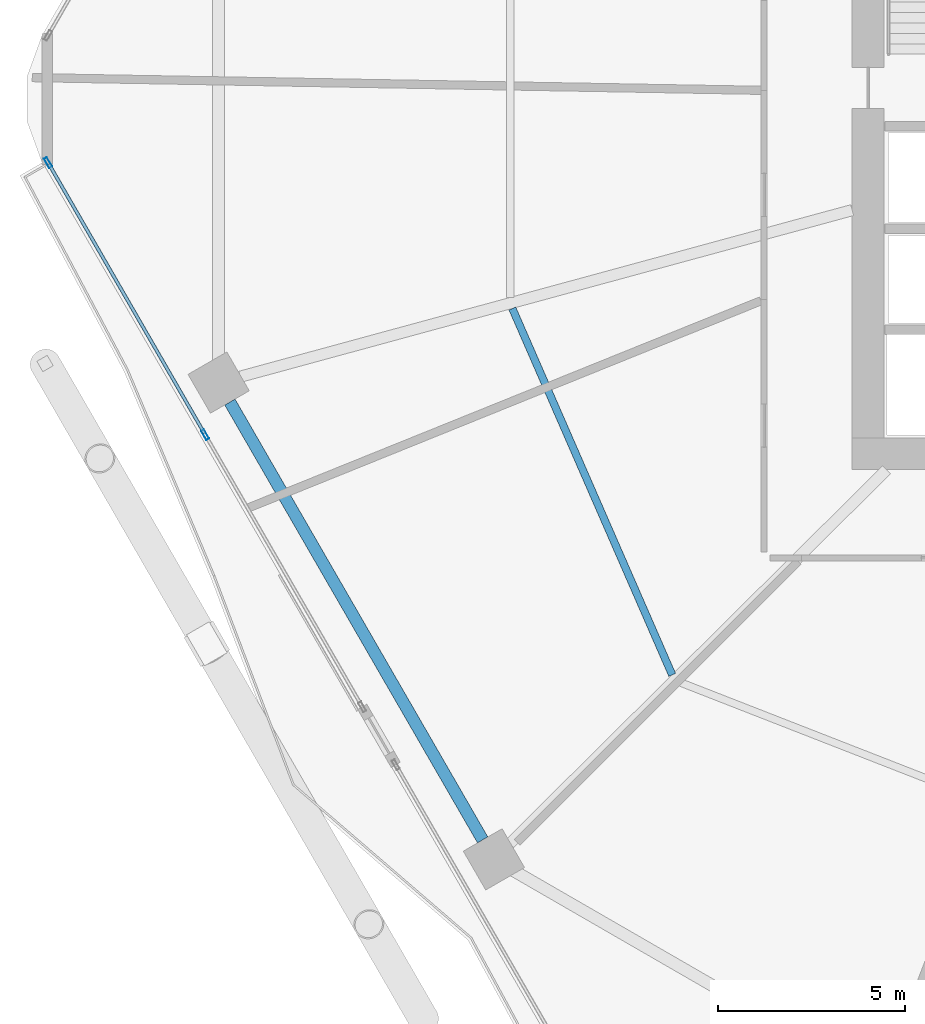
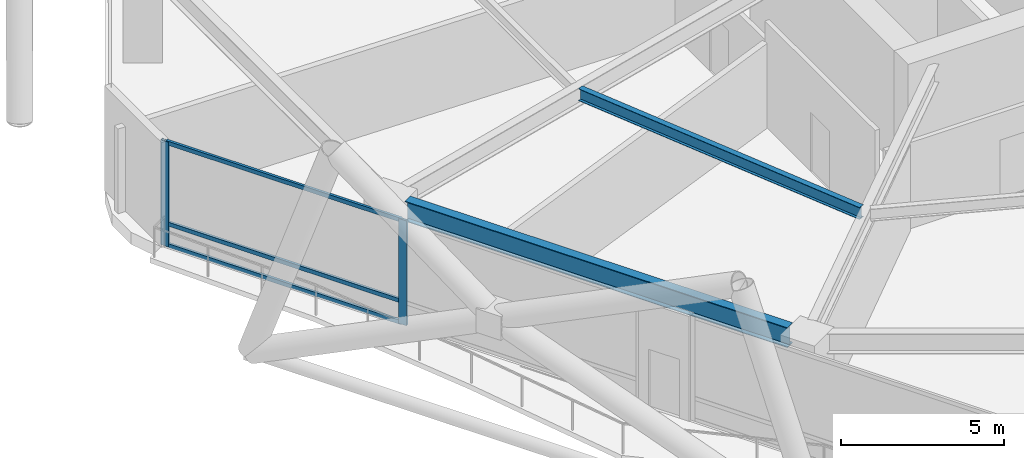
# One storey, part 5 of 31: 5 members, 2 beams, 1 element without a shape of its own.
"""IFC4 building model written with IfcOpenShell, lengths in metres."""

import ifcopenshell
import ifcopenshell.guid

model = None  # the IFC model being written
_history = None  # IfcOwnerHistory: only IFC2X3 demands one
_inside = {}  # id of a spatial element -> (the spatial element, [elements in it])
_under = {}  # id of a project, library or spatial element -> (it, [spatial elements below it])
_declared = {}  # id of a project -> (the project, [libraries it declares])
_typed = {}  # id of a type object -> (the type object, [elements of that type])
_made_of = {}  # id of a material, layer set ... -> (it, [elements and type objects made of it])


def new_model(schema):
    """Start an empty IFC model of exactly this schema.

    Asked for "IFC4X3", IfcOpenShell would pick the latest addendum, in which some entities
    have other attributes; the version numbers below select the first issue.
    IFC2X3 requires an IfcOwnerHistory on every rooted entity: one is made here for all.
    """
    global model, _history
    if schema == "IFC4X3":
        model = ifcopenshell.file(schema_version=(4, 3, 0, 0))
    else:
        model = ifcopenshell.file(schema=schema)
    _inside.clear()
    _under.clear()
    _declared.clear()
    _typed.clear()
    _made_of.clear()
    _history = None
    if model.schema == "IFC2X3":
        org = make("IfcOrganization", Name="unknown")
        user = make(
            "IfcPersonAndOrganization",
            ThePerson=make("IfcPerson", FamilyName="unknown"),
            TheOrganization=org,
        )
        app = make(
            "IfcApplication",
            ApplicationDeveloper=org,
            Version="unknown",
            ApplicationFullName="unknown",
            ApplicationIdentifier="unknown",
        )
        _history = make(
            "IfcOwnerHistory",
            OwningUser=user,
            OwningApplication=app,
            ChangeAction="ADDED",
            CreationDate=0,
        )
    return model


def make(cls, **values):
    """One entity of the class cls with the attributes given. An attribute that is None is left unset."""
    return model.create_entity(
        cls, **{name: value for name, value in values.items() if value is not None}
    )


def rooted(cls, **values):
    """An entity with a GlobalId (a new one), such as an element, a storey or a relation."""
    return make(cls, GlobalId=ifcopenshell.guid.new(), OwnerHistory=_history, **values)


def si_unit(unit_type, name, prefix=None):
    """IfcSIUnit, for example si_unit("LENGTHUNIT", "METRE", prefix="MILLI")."""
    return make("IfcSIUnit", UnitType=unit_type, Prefix=prefix, Name=name)


def assignment(units):
    """IfcUnitAssignment: the units of a project."""
    return None if units is None else make("IfcUnitAssignment", Units=units)


def point(xyz):
    """IfcCartesianPoint."""
    return None if xyz is None else make("IfcCartesianPoint", Coordinates=xyz)


def direction(xyz):
    """IfcDirection."""
    return None if xyz is None else make("IfcDirection", DirectionRatios=xyz)


def frame(location, z_axis=None, x_axis=None):
    """IfcAxis2Placement3D, a coordinate frame: its origin and axes. An axis left out is left unset."""
    return make(
        "IfcAxis2Placement3D",
        Location=point(location),
        Axis=direction(z_axis),
        RefDirection=direction(x_axis),
    )


def frame_2d(location, x_axis=None):
    """IfcAxis2Placement2D, a coordinate frame in the plane: its origin and x axis."""
    return make(
        "IfcAxis2Placement2D", Location=point(location), RefDirection=direction(x_axis)
    )


def origin():
    """The frame at (0, 0, 0) with its axes left unset."""
    return frame((0.0, 0.0, 0.0))


def origin_2d():
    """The frame at (0, 0) in the plane with its x axis left unset."""
    return frame_2d((0.0, 0.0))


def place(relative_to, where):
    """IfcLocalPlacement: puts the frame where relative to a parent placement (None: the world)."""
    return make(
        "IfcLocalPlacement", PlacementRelTo=relative_to, RelativePlacement=where
    )


def context(
    kind, dimensions, precision=None, world=None, true_north=None, identifier=None
):
    """IfcGeometricRepresentationContext, for example the 3D "Model" context."""
    return make(
        "IfcGeometricRepresentationContext",
        ContextIdentifier=identifier,
        ContextType=kind,
        CoordinateSpaceDimension=dimensions,
        Precision=precision,
        WorldCoordinateSystem=world,
        TrueNorth=true_north,
    )


def subcontext(parent, identifier, kind, view, scale=None):
    """IfcGeometricRepresentationSubContext, for example "Body" below "Model"."""
    return make(
        "IfcGeometricRepresentationSubContext",
        ContextIdentifier=identifier,
        ContextType=kind,
        ParentContext=parent,
        TargetScale=scale,
        TargetView=view,
    )


def project(units=None, contexts=None):
    """IfcProject with its units and contexts."""
    return rooted(
        "IfcProject",
        Name="project",
        RepresentationContexts=contexts,
        UnitsInContext=assignment(units),
    )


def spatial(cls, under=None, at=None, **own):
    """A site, building, storey or space (cls), placed at a placement, below another one or the project."""
    s = rooted(cls, ObjectPlacement=at, **own)
    if under is not None:
        _under.setdefault(under.id(), (under, []))[1].append(s)
    return s


def profile(cls, at=None, kind="AREA", **sizes):
    """A parametric profile (cls). Its sizes go by their IFC names, for example OverallWidth=200.0."""
    return make(cls, ProfileType=kind, Position=at, **sizes)


def hollow_rectangle(**sizes):
    """IfcRectangleHollowProfileDef."""
    return profile("IfcRectangleHollowProfileDef", **sizes)


def i_section(**sizes):
    """IfcIShapeProfileDef."""
    return profile("IfcIShapeProfileDef", **sizes)


def extrude(swept, where, along, depth):
    """IfcExtrudedAreaSolid: the profile swept, set in the frame where, extruded along a direction by depth."""
    return make(
        "IfcExtrudedAreaSolid",
        SweptArea=swept,
        Position=where,
        ExtrudedDirection=direction(along),
        Depth=depth,
    )


def shape(context_of_items, identifier, shape_type, items):
    """IfcShapeRepresentation: the items that make up one representation, for example the "Body"."""
    return make(
        "IfcShapeRepresentation",
        ContextOfItems=context_of_items,
        RepresentationIdentifier=identifier,
        RepresentationType=shape_type,
        Items=items,
    )


def material(Name=None, Category=None):
    """IfcMaterial."""
    return make("IfcMaterial", Name=Name, Category=Category)


def material_profile(
    of_material, cross_section, Name=None, Category=None, Priority=None
):
    """IfcMaterialProfile: a cross section and its material."""
    return make(
        "IfcMaterialProfile",
        Name=Name,
        Material=of_material,
        Profile=cross_section,
        Priority=Priority,
        Category=Category,
    )


def profile_set(profiles, Name=None, composite=None):
    """IfcMaterialProfileSet."""
    return make(
        "IfcMaterialProfileSet",
        Name=Name,
        MaterialProfiles=profiles,
        CompositeProfile=composite,
    )


def made_of(thing, what):
    """Note that an element or type object is made of a material, layer set ...; save() writes the relation."""
    if what is not None:
        _made_of.setdefault(what.id(), (what, []))[1].append(thing)
    return thing


def type_object(cls, material=None, **own):
    """A type object (cls), such as IfcWallType, which elements share."""
    return made_of(rooted(cls, **own), material)


def element(
    cls,
    number,
    at=None,
    inside=None,
    cuts=None,
    type_object=None,
    material=None,
    context=None,
    identifier="Body",
    shape_type=None,
    held_by="IfcProductDefinitionShape",
    body=None,
    shapes=None,
    **own,
):
    """One element of the class cls, such as IfcWall. Its Tag is "e" and its number.

    at: its placement. inside: the storey or other place that contains it. cuts: it is an
    opening in that element (IfcRelVoidsElement). A single representation is given by context,
    identifier, shape_type and body (its items); several are given by shapes. held_by: the class
    of the entity that holds the representations. save() writes the other relations.
    """
    e = rooted(cls, Tag="e%d" % number, ObjectPlacement=at, **own)
    if body is not None:
        shapes = [shape(context, identifier, shape_type, body)]
    if shapes is not None:
        e.Representation = make(held_by, Representations=shapes)
    if inside is not None:
        _inside.setdefault(inside.id(), (inside, []))[1].append(e)
    if cuts is not None:
        rooted(
            "IfcRelVoidsElement", RelatingBuildingElement=cuts, RelatedOpeningElement=e
        )
    if type_object is not None:
        _typed.setdefault(type_object.id(), (type_object, []))[1].append(e)
    return made_of(e, material)


def aggregate(whole, parts):
    """IfcRelAggregates: a whole, such as a stair, and the parts it consists of."""
    return rooted("IfcRelAggregates", RelatingObject=whole, RelatedObjects=parts)


def save(model, path):
    """Write the relations noted so far, then the file.

    IfcRelAggregates (storeys below a building ...), IfcRelContainedInSpatialStructure (elements
    in a storey), IfcRelDefinesByType, IfcRelAssociatesMaterial and IfcRelDeclares: one each for
    every whole, place, type object, material and project.
    """
    for whole, parts in _under.values():
        aggregate(whole, parts)
    for where, things in _inside.values():
        rooted(
            "IfcRelContainedInSpatialStructure",
            RelatedElements=things,
            RelatingStructure=where,
        )
    for kind, things in _typed.values():
        rooted("IfcRelDefinesByType", RelatedObjects=things, RelatingType=kind)
    for what, things in _made_of.values():
        rooted("IfcRelAssociatesMaterial", RelatedObjects=things, RelatingMaterial=what)
    for by, libraries in _declared.values():
        rooted("IfcRelDeclares", RelatingContext=by, RelatedDefinitions=libraries)
    model.write(path)


model = new_model("IFC4")

# Units and contexts
model_context = context("Model", 3, precision=1e-05, world=origin(), true_north=direction((0.0, 1.0)))
body_context = subcontext(model_context, "Body", "Model", "MODEL_VIEW")
ifc_project = project(units=[si_unit("LENGTHUNIT", "METRE"), si_unit("AREAUNIT", "SQUARE_METRE"), si_unit("VOLUMEUNIT", "CUBIC_METRE"), si_unit("PLANEANGLEUNIT", "RADIAN"), si_unit("MASSUNIT", "GRAM", prefix="KILO")], contexts=[model_context])

# Site, building, storey
site_placement = place(None, origin())
site = spatial("IfcSite", under=ifc_project, at=site_placement, CompositionType="ELEMENT")
building_placement = place(site_placement, origin())
building = spatial("IfcBuilding", under=site, at=building_placement, Name="Zuhravey Tower", CompositionType="ELEMENT")
storey_placement = place(building_placement, frame((0.0, 0.0, 7.800048828125)))
storey = spatial("IfcBuildingStorey", under=building, at=storey_placement, Name="L02", CompositionType="ELEMENT", Elevation=7.800048828125)

# Curtain wall, members
ifc_material_1 = material(Name="Thermally broken anodised aluminium", Category="aluminium")
curtain_wall_type = type_object("IfcCurtainWallType", Name="School Low-E Unitised Curtain Wall CW1", PredefinedType="NOTDEFINED", material=ifc_material_1)
curtain_wall_placement = place(storey_placement, origin())
curtain_wall = element("IfcCurtainWall", 1, at=curtain_wall_placement, inside=storey, type_object=curtain_wall_type, Name="L02 CW1 CW-L02-F4-2", PredefinedType="NOTDEFINED")
ifc_material_2 = material(Name="Anodised aluminium", Category="aluminium")
ifc_material_profile_1 = material_profile(ifc_material_2, hollow_rectangle(XDim=0.090087890625, YDim=0.284912109375, WallThickness=0.0048828125, at=origin_2d()), Name="ALU-RHS-90x285x5")
ifc_profile_set_1 = profile_set([ifc_material_profile_1], Name="Anodised aluminium")
member_type_1 = type_object("IfcMemberType", Name="Curtain-Wall Mullion 90x180", PredefinedType="MULLION", material=ifc_profile_set_1)
member_1_placement = place(storey_placement, frame((7.750244140625, 23.012939453125, 0.0), z_axis=(0.0, 0.0, 1.0), x_axis=(-0.866025508574, -0.499999818499, 0.0)))
member_1 = element("IfcMember", 2, at=member_1_placement, type_object=member_type_1, Name="CW1 mullion 2", PredefinedType="MULLION", context=body_context, shape_type="SweptSolid", body=[
    extrude(hollow_rectangle(XDim=0.090087890625, YDim=0.284912109375, WallThickness=0.0048828125, at=origin_2d()), origin(), (0.0, 0.0, 1.0), 3.919921875),
])
member_2_placement = place(storey_placement, frame((3.5439453125, 30.298583984375, 0.0), z_axis=(0.0, 0.0, 1.0), x_axis=(-0.866025508574, -0.499999818499, 0.0)))
member_2 = element("IfcMember", 3, at=member_2_placement, type_object=member_type_1, Name="CW1 mullion 3", PredefinedType="MULLION", context=body_context, shape_type="SweptSolid", body=[
    extrude(hollow_rectangle(XDim=0.090087890625, YDim=0.284912109375, WallThickness=0.0048828125, at=origin_2d()), origin(), (0.0, 0.0, 1.0), 3.919921875),
])
ifc_material_profile_2 = material_profile(ifc_material_2, hollow_rectangle(XDim=0.090087890625, YDim=0.14990234375, WallThickness=0.0048828125, at=origin_2d()), Name="ALU-RHS-90x150x5")
ifc_profile_set_2 = profile_set([ifc_material_profile_2], Name="Anodised aluminium")
member_type_2 = type_object("IfcMemberType", Name="Curtain-Wall Transom 90x150", PredefinedType="USERDEFINED", material=ifc_profile_set_2)
member_3_placement = place(storey_placement, frame((7.727783203125, 23.052001953125, 0.044921875), z_axis=(-0.500010238213, 0.866019492669, 0.0), x_axis=(-0.866019492669, -0.500010238213, 0.0)))
member_3 = element("IfcMember", 4, at=member_3_placement, type_object=member_type_2, Name="CW1 transom 2.1", ObjectType="TRANSOM", PredefinedType="USERDEFINED", context=body_context, shape_type="SweptSolid", body=[
    extrude(hollow_rectangle(XDim=0.090087890625, YDim=0.14990234375, WallThickness=0.0048828125, at=origin_2d()), origin(), (0.0, 0.0, 1.0), 8.322509765625),
])
member_4_placement = place(storey_placement, frame((7.727783203125, 23.052001953125, 0.849853515625), z_axis=(-0.500010238213, 0.866019492669, 0.0), x_axis=(-0.866019492669, -0.500010238213, 0.0)))
member_4 = element("IfcMember", 5, at=member_4_placement, type_object=member_type_2, Name="CW1 transom 2.2", ObjectType="TRANSOM", PredefinedType="USERDEFINED", context=body_context, shape_type="SweptSolid", body=[
    extrude(hollow_rectangle(XDim=0.090087890625, YDim=0.14990234375, WallThickness=0.0048828125, at=origin_2d()), origin(), (0.0, 0.0, 1.0), 8.322509765625),
])
member_5_placement = place(storey_placement, frame((7.727783203125, 23.052001953125, 3.875), z_axis=(-0.500010238213, 0.866019492669, 0.0), x_axis=(-0.866019492669, -0.500010238213, 0.0)))
member_5 = element("IfcMember", 6, at=member_5_placement, type_object=member_type_2, Name="CW1 transom 2.3", ObjectType="TRANSOM", PredefinedType="USERDEFINED", context=body_context, shape_type="SweptSolid", body=[
    extrude(hollow_rectangle(XDim=0.090087890625, YDim=0.14990234375, WallThickness=0.0048828125, at=origin_2d()), origin(), (0.0, 0.0, 1.0), 8.322509765625),
])
aggregate(curtain_wall, [member_1, member_2, member_3, member_4, member_5])

# Beams
ifc_material_3 = material(Name="Steel SM355", Category="steel")
ifc_material_profile_3 = material_profile(ifc_material_3, i_section(OverallWidth=0.320068359375, OverallDepth=0.75, WebThickness=0.013916015625, FlangeThickness=0.02490234375, at=origin_2d()), Name="H-750x320x14x25")
ifc_profile_set_3 = profile_set([ifc_material_profile_3], Name="Steel SM355")
beam_type_1 = type_object("IfcBeamType", Name="Perimeter Ring Beam H750x320", PredefinedType="BEAM", material=ifc_profile_set_3)
beam_1_placement = place(storey_placement, frame((8.412353515625, 23.88623046875, 3.544921875), z_axis=(0.499999877243, -0.866025474658, 0.0), x_axis=(0.866025474658, 0.499999877243, 0.0)))
element("IfcBeam", 7, at=beam_1_placement, inside=storey, type_object=beam_type_1, Name="L02 PB1 BM-L02-PB-07", PredefinedType="BEAM", context=body_context, shape_type="SweptSolid", body=[
    extrude(i_section(OverallWidth=0.320068359375, OverallDepth=0.75, WebThickness=0.013916015625, FlangeThickness=0.02490234375, at=origin_2d()), origin(), (0.0, 0.0, 1.0), 13.5341796875),
])
ifc_material_profile_4 = material_profile(ifc_material_3, i_section(OverallWidth=0.199951171875, OverallDepth=0.449951171875, WebThickness=0.009033203125, FlangeThickness=0.013916015625, at=origin_2d()), Name="H-450x200x9x14")
ifc_profile_set_4 = profile_set([ifc_material_profile_4], Name="Steel SM355")
beam_type_2 = type_object("IfcBeamType", Name="Secondary Floor Joist H450x200", PredefinedType="JOIST", material=ifc_profile_set_4)
beam_2_placement = place(storey_placement, frame((15.974609375, 26.39111328125, 3.695068359375), z_axis=(0.399923551578, -0.916548500022, 0.0), x_axis=(0.916548500022, 0.399923551578, 0.0)))
element("IfcBeam", 8, at=beam_2_placement, inside=storey, type_object=beam_type_2, Name="L02 SJ1 BM-L02-SJ-07-1", PredefinedType="JOIST", context=body_context, shape_type="SweptSolid", body=[
    extrude(i_section(OverallWidth=0.199951171875, OverallDepth=0.449951171875, WebThickness=0.009033203125, FlangeThickness=0.013916015625, at=origin_2d()), origin(), (0.0, 0.0, 1.0), 10.70263671875),
])

save(model, "model.ifc")
